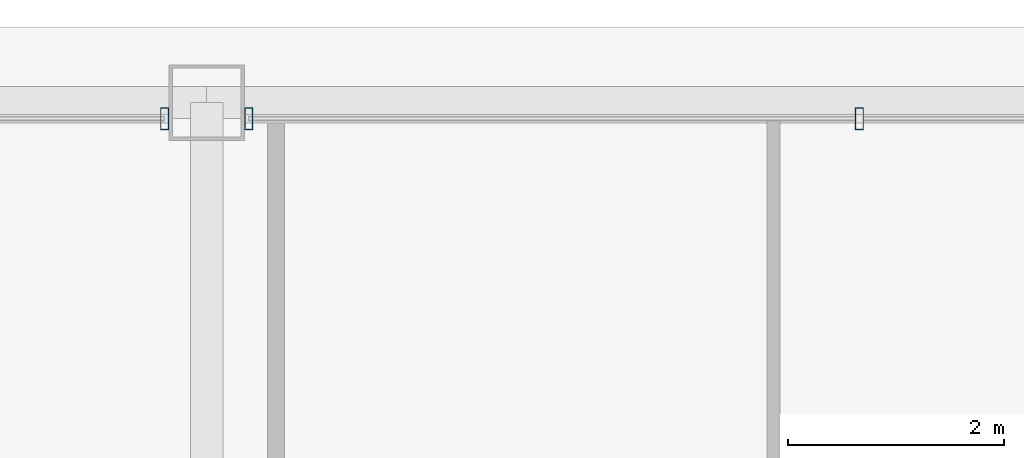
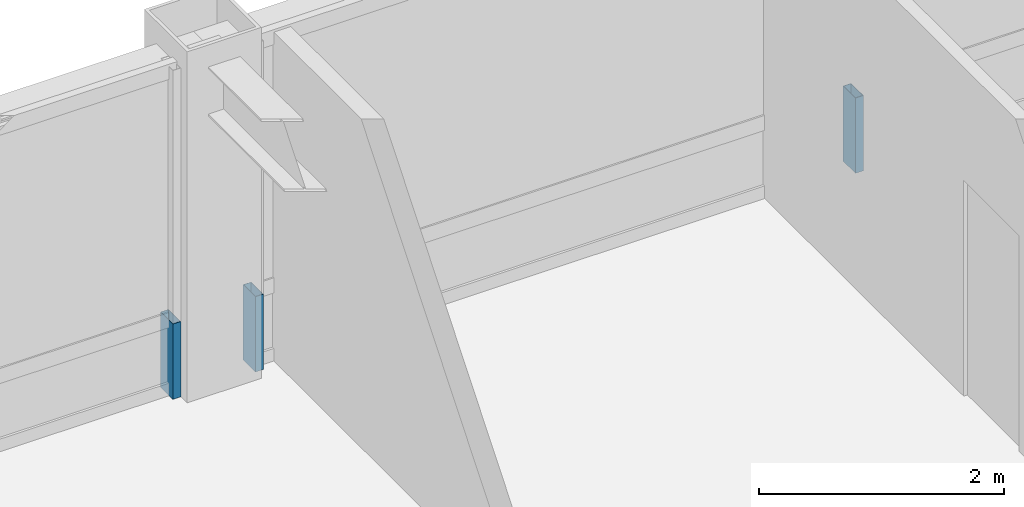
# One storey, part 25 of 33: 3 members, 2 elements without a shape of their own.
"""IFC4 building model written with IfcOpenShell, lengths in metres."""

from ifc_helpers import new_model, si_unit, direction, frame, origin, origin_2d, place, context, subcontext, project, spatial, hollow_rectangle, extrude, source, transform, mapped, material, layer, layer_set, material_profile, profile_set, type_object, element, aggregate, save


model = new_model("IFC4")

# Units and contexts
model_context = context("Model", 3, precision=1e-05, world=origin(), true_north=direction((0.0, 1.0)))
body_context = subcontext(model_context, "Body", "Model", "MODEL_VIEW")
ifc_project = project(units=[si_unit("LENGTHUNIT", "METRE"), si_unit("AREAUNIT", "SQUARE_METRE"), si_unit("VOLUMEUNIT", "CUBIC_METRE"), si_unit("PLANEANGLEUNIT", "RADIAN"), si_unit("MASSUNIT", "GRAM", prefix="KILO"), si_unit("THERMODYNAMICTEMPERATUREUNIT", "KELVIN"), si_unit("POWERUNIT", "WATT")], contexts=[model_context])

# Site, building, storey
site_placement = place(None, origin())
site = spatial("IfcSite", under=ifc_project, at=site_placement, CompositionType="ELEMENT")
building_placement = place(site_placement, origin())
building = spatial("IfcBuilding", under=site, at=building_placement, Name="Yuzanri Waterfront Tower", CompositionType="ELEMENT")
storey_placement = place(building_placement, frame((0.0, 0.0, 292.60009765625)))
storey = spatial("IfcBuildingStorey", under=building, at=storey_placement, Name="L78", CompositionType="ELEMENT", Elevation=292.60009765625)

# Curtain wall, member
ifc_material_1 = material(Name="Anodized Architectural Bronze", Category="metal")
ifc_layer = layer(ifc_material_1, 0.159912109375)
ifc_layer_set = layer_set([ifc_layer], Name="Anodized Architectural Bronze")
curtain_wall_type = type_object("IfcCurtainWallType", Name="Anodized Bronze High-Rise Penthouse High-Wind Unitized Curtain Wall 6900", PredefinedType="NOTDEFINED", material=ifc_layer_set)
curtain_wall_1_placement = place(storey_placement, origin())
curtain_wall_1 = element("IfcCurtainWall", 1, at=curtain_wall_1_placement, inside=storey, type_object=curtain_wall_type, Name="L78 Curtain Wall CW-L78-NL", PredefinedType="NOTDEFINED")
ifc_material_2 = material(Name="Anodized Architectural Bronze", Category="metal")
ifc_material_profile = material_profile(ifc_material_2, hollow_rectangle(XDim=0.074951171875, YDim=0.199951171875, WallThickness=0.00390625, at=origin_2d()), Name="CWM 75x200")
ifc_profile_set = profile_set([ifc_material_profile], Name="Anodized Architectural Bronze")
member_type = type_object("IfcMemberType", Name="Anodized Bronze Primary Curtain-Wall Mullion 75x200", PredefinedType="MULLION", material=ifc_profile_set)
shared_shape = source(origin(), body_context, "Body", "SweptSolid", [
    extrude(hollow_rectangle(XDim=0.074951171875, YDim=0.199951171875, WallThickness=0.00390625, at=origin_2d()), origin(), (0.0, 0.0, 1.0), 0.751953125),
])
member_1_placement = place(storey_placement, frame((36.610107421875, 44.75, 0.0), z_axis=(0.0, 0.0, 1.0), x_axis=(1.0, 0.0, 0.0)))
member_1 = element("IfcMember", 2, at=member_1_placement, type_object=member_type, Name="CW-L78-NL Lower Mullion 02", PredefinedType="MULLION", context=body_context, shape_type="MappedRepresentation", body=[
    mapped(shared_shape, transform((0.0, 0.0, 0.0), scale=1.0)),
])
aggregate(curtain_wall_1, [member_1])

# Curtain wall, members
curtain_wall_2_placement = place(storey_placement, origin())
curtain_wall_2 = element("IfcCurtainWall", 3, at=curtain_wall_2_placement, inside=storey, type_object=curtain_wall_type, Name="L78 Curtain Wall CW-L78-NR", PredefinedType="NOTDEFINED")
member_2_placement = place(storey_placement, frame((37.389892578125, 44.75, 0.0), z_axis=(0.0, 0.0, 1.0), x_axis=(1.0, 0.0, 0.0)))
member_2 = element("IfcMember", 4, at=member_2_placement, type_object=member_type, Name="CW-L78-NR Lower Mullion 00", PredefinedType="MULLION", context=body_context, shape_type="MappedRepresentation", body=[
    mapped(shared_shape, transform((0.0, 0.0, 0.0), scale=1.0)),
])
member_3_placement = place(storey_placement, frame((43.050048828125, 44.75, 0.0), z_axis=(0.0, 0.0, 1.0), x_axis=(1.0, 0.0, 0.0)))
member_3 = element("IfcMember", 5, at=member_3_placement, type_object=member_type, Name="CW-L78-NR Lower Mullion 01", PredefinedType="MULLION", context=body_context, shape_type="MappedRepresentation", body=[
    mapped(shared_shape, transform((0.0, 0.0, 0.0), scale=1.0)),
])
aggregate(curtain_wall_2, [member_2, member_3])

save(model, "model.ifc")
